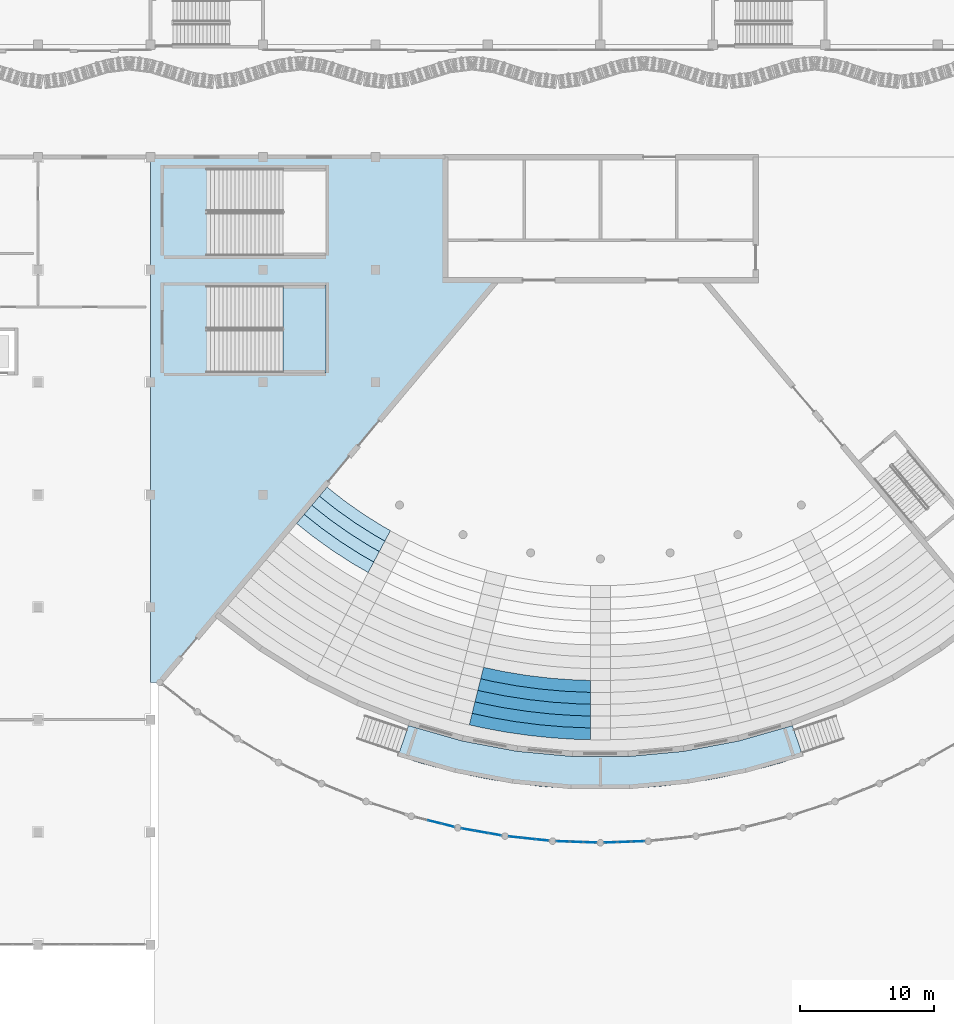
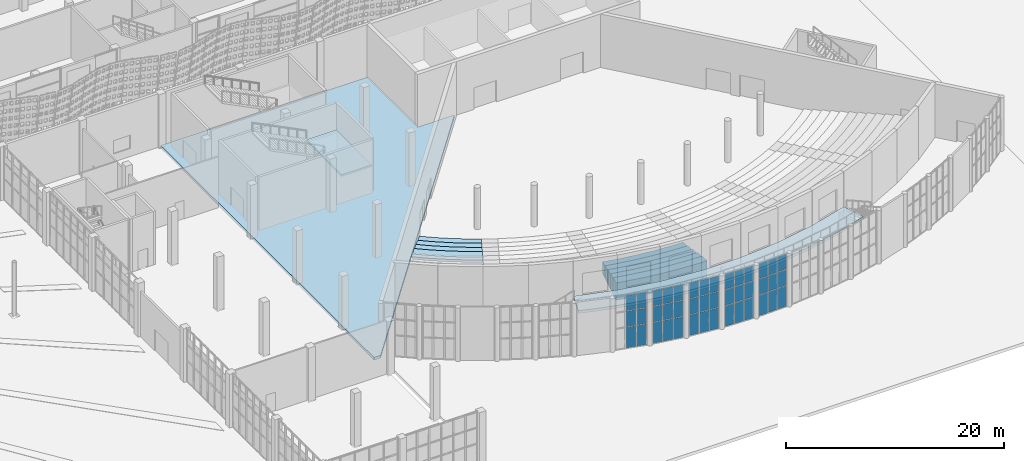
# One storey, part 86 of 210: 42 plates, 12 slabs, 6 elements without a shape of their own.
"""IFC4 building model written with IfcOpenShell, lengths in metres."""

import ifcopenshell
import ifcopenshell.guid

model = None  # the IFC model being written
_history = None  # IfcOwnerHistory: only IFC2X3 demands one
_inside = {}  # id of a spatial element -> (the spatial element, [elements in it])
_under = {}  # id of a project, library or spatial element -> (it, [spatial elements below it])
_declared = {}  # id of a project -> (the project, [libraries it declares])
_typed = {}  # id of a type object -> (the type object, [elements of that type])
_made_of = {}  # id of a material, layer set ... -> (it, [elements and type objects made of it])


def new_model(schema):
    """Start an empty IFC model of exactly this schema.

    Asked for "IFC4X3", IfcOpenShell would pick the latest addendum, in which some entities
    have other attributes; the version numbers below select the first issue.
    IFC2X3 requires an IfcOwnerHistory on every rooted entity: one is made here for all.
    """
    global model, _history
    if schema == "IFC4X3":
        model = ifcopenshell.file(schema_version=(4, 3, 0, 0))
    else:
        model = ifcopenshell.file(schema=schema)
    _inside.clear()
    _under.clear()
    _declared.clear()
    _typed.clear()
    _made_of.clear()
    _history = None
    if model.schema == "IFC2X3":
        org = make("IfcOrganization", Name="unknown")
        user = make(
            "IfcPersonAndOrganization",
            ThePerson=make("IfcPerson", FamilyName="unknown"),
            TheOrganization=org,
        )
        app = make(
            "IfcApplication",
            ApplicationDeveloper=org,
            Version="unknown",
            ApplicationFullName="unknown",
            ApplicationIdentifier="unknown",
        )
        _history = make(
            "IfcOwnerHistory",
            OwningUser=user,
            OwningApplication=app,
            ChangeAction="ADDED",
            CreationDate=0,
        )
    return model


def make(cls, **values):
    """One entity of the class cls with the attributes given. An attribute that is None is left unset."""
    return model.create_entity(
        cls, **{name: value for name, value in values.items() if value is not None}
    )


def rooted(cls, **values):
    """An entity with a GlobalId (a new one), such as an element, a storey or a relation."""
    return make(cls, GlobalId=ifcopenshell.guid.new(), OwnerHistory=_history, **values)


def si_unit(unit_type, name, prefix=None):
    """IfcSIUnit, for example si_unit("LENGTHUNIT", "METRE", prefix="MILLI")."""
    return make("IfcSIUnit", UnitType=unit_type, Prefix=prefix, Name=name)


def assignment(units):
    """IfcUnitAssignment: the units of a project."""
    return None if units is None else make("IfcUnitAssignment", Units=units)


def point(xyz):
    """IfcCartesianPoint."""
    return None if xyz is None else make("IfcCartesianPoint", Coordinates=xyz)


def direction(xyz):
    """IfcDirection."""
    return None if xyz is None else make("IfcDirection", DirectionRatios=xyz)


def frame(location, z_axis=None, x_axis=None):
    """IfcAxis2Placement3D, a coordinate frame: its origin and axes. An axis left out is left unset."""
    return make(
        "IfcAxis2Placement3D",
        Location=point(location),
        Axis=direction(z_axis),
        RefDirection=direction(x_axis),
    )


def frame_2d(location, x_axis=None):
    """IfcAxis2Placement2D, a coordinate frame in the plane: its origin and x axis."""
    return make(
        "IfcAxis2Placement2D", Location=point(location), RefDirection=direction(x_axis)
    )


def origin():
    """The frame at (0, 0, 0) with its axes left unset."""
    return frame((0.0, 0.0, 0.0))


def origin_2d():
    """The frame at (0, 0) in the plane with its x axis left unset."""
    return frame_2d((0.0, 0.0))


def place(relative_to, where):
    """IfcLocalPlacement: puts the frame where relative to a parent placement (None: the world)."""
    return make(
        "IfcLocalPlacement", PlacementRelTo=relative_to, RelativePlacement=where
    )


def context(
    kind, dimensions, precision=None, world=None, true_north=None, identifier=None
):
    """IfcGeometricRepresentationContext, for example the 3D "Model" context."""
    return make(
        "IfcGeometricRepresentationContext",
        ContextIdentifier=identifier,
        ContextType=kind,
        CoordinateSpaceDimension=dimensions,
        Precision=precision,
        WorldCoordinateSystem=world,
        TrueNorth=true_north,
    )


def subcontext(parent, identifier, kind, view, scale=None):
    """IfcGeometricRepresentationSubContext, for example "Body" below "Model"."""
    return make(
        "IfcGeometricRepresentationSubContext",
        ContextIdentifier=identifier,
        ContextType=kind,
        ParentContext=parent,
        TargetScale=scale,
        TargetView=view,
    )


def project(units=None, contexts=None):
    """IfcProject with its units and contexts."""
    return rooted(
        "IfcProject",
        Name="project",
        RepresentationContexts=contexts,
        UnitsInContext=assignment(units),
    )


def spatial(cls, under=None, at=None, **own):
    """A site, building, storey or space (cls), placed at a placement, below another one or the project."""
    s = rooted(cls, ObjectPlacement=at, **own)
    if under is not None:
        _under.setdefault(under.id(), (under, []))[1].append(s)
    return s


def polyline(points):
    """IfcPolyline through the points."""
    return make("IfcPolyline", Points=[point(p) for p in points])


def profile(cls, at=None, kind="AREA", **sizes):
    """A parametric profile (cls). Its sizes go by their IFC names, for example OverallWidth=200.0."""
    return make(cls, ProfileType=kind, Position=at, **sizes)


def rectangle(**sizes):
    """IfcRectangleProfileDef."""
    return profile("IfcRectangleProfileDef", **sizes)


def outline(outer, holes=None, kind="AREA"):
    """IfcArbitraryClosedProfileDef: a profile drawn as a closed curve; with holes, ...WithVoids."""
    if holes is None:
        return make("IfcArbitraryClosedProfileDef", ProfileType=kind, OuterCurve=outer)
    return make(
        "IfcArbitraryProfileDefWithVoids",
        ProfileType=kind,
        OuterCurve=outer,
        InnerCurves=holes,
    )


def extrude(swept, where, along, depth):
    """IfcExtrudedAreaSolid: the profile swept, set in the frame where, extruded along a direction by depth."""
    return make(
        "IfcExtrudedAreaSolid",
        SweptArea=swept,
        Position=where,
        ExtrudedDirection=direction(along),
        Depth=depth,
    )


def shape(context_of_items, identifier, shape_type, items):
    """IfcShapeRepresentation: the items that make up one representation, for example the "Body"."""
    return make(
        "IfcShapeRepresentation",
        ContextOfItems=context_of_items,
        RepresentationIdentifier=identifier,
        RepresentationType=shape_type,
        Items=items,
    )


def material(Name=None, Category=None):
    """IfcMaterial."""
    return make("IfcMaterial", Name=Name, Category=Category)


def layer(
    of_material, thickness, ventilated=None, Name=None, Category=None, Priority=None
):
    """IfcMaterialLayer: one layer of a wall or slab, of a material (None: an air gap)."""
    return make(
        "IfcMaterialLayer",
        Material=of_material,
        LayerThickness=thickness,
        IsVentilated=ventilated,
        Name=Name,
        Category=Category,
        Priority=Priority,
    )


def layer_set(layers, Name=None):
    """IfcMaterialLayerSet."""
    return make("IfcMaterialLayerSet", MaterialLayers=layers, LayerSetName=Name)


def made_of(thing, what):
    """Note that an element or type object is made of a material, layer set ...; save() writes the relation."""
    if what is not None:
        _made_of.setdefault(what.id(), (what, []))[1].append(thing)
    return thing


def type_object(cls, material=None, **own):
    """A type object (cls), such as IfcWallType, which elements share."""
    return made_of(rooted(cls, **own), material)


def element(
    cls,
    number,
    at=None,
    inside=None,
    cuts=None,
    type_object=None,
    material=None,
    context=None,
    identifier="Body",
    shape_type=None,
    held_by="IfcProductDefinitionShape",
    body=None,
    shapes=None,
    **own,
):
    """One element of the class cls, such as IfcWall. Its Tag is "e" and its number.

    at: its placement. inside: the storey or other place that contains it. cuts: it is an
    opening in that element (IfcRelVoidsElement). A single representation is given by context,
    identifier, shape_type and body (its items); several are given by shapes. held_by: the class
    of the entity that holds the representations. save() writes the other relations.
    """
    e = rooted(cls, Tag="e%d" % number, ObjectPlacement=at, **own)
    if body is not None:
        shapes = [shape(context, identifier, shape_type, body)]
    if shapes is not None:
        e.Representation = make(held_by, Representations=shapes)
    if inside is not None:
        _inside.setdefault(inside.id(), (inside, []))[1].append(e)
    if cuts is not None:
        rooted(
            "IfcRelVoidsElement", RelatingBuildingElement=cuts, RelatedOpeningElement=e
        )
    if type_object is not None:
        _typed.setdefault(type_object.id(), (type_object, []))[1].append(e)
    return made_of(e, material)


def aggregate(whole, parts):
    """IfcRelAggregates: a whole, such as a stair, and the parts it consists of."""
    return rooted("IfcRelAggregates", RelatingObject=whole, RelatedObjects=parts)


def save(model, path):
    """Write the relations noted so far, then the file.

    IfcRelAggregates (storeys below a building ...), IfcRelContainedInSpatialStructure (elements
    in a storey), IfcRelDefinesByType, IfcRelAssociatesMaterial and IfcRelDeclares: one each for
    every whole, place, type object, material and project.
    """
    for whole, parts in _under.values():
        aggregate(whole, parts)
    for where, things in _inside.values():
        rooted(
            "IfcRelContainedInSpatialStructure",
            RelatedElements=things,
            RelatingStructure=where,
        )
    for kind, things in _typed.values():
        rooted("IfcRelDefinesByType", RelatedObjects=things, RelatingType=kind)
    for what, things in _made_of.values():
        rooted("IfcRelAssociatesMaterial", RelatedObjects=things, RelatingMaterial=what)
    for by, libraries in _declared.values():
        rooted("IfcRelDeclares", RelatingContext=by, RelatedDefinitions=libraries)
    model.write(path)


model = new_model("IFC4")

# Units and contexts
model_context = context("Model", 3, precision=1e-05, world=origin(), true_north=direction((0.0, 1.0)))
body_context = subcontext(model_context, "Body", "Model", "MODEL_VIEW")
ifc_project = project(units=[si_unit("LENGTHUNIT", "METRE"), si_unit("AREAUNIT", "SQUARE_METRE"), si_unit("VOLUMEUNIT", "CUBIC_METRE"), si_unit("PLANEANGLEUNIT", "RADIAN"), si_unit("MASSUNIT", "GRAM", prefix="KILO")], contexts=[model_context])

# Site, building, storey
site_placement = place(None, origin())
site = spatial("IfcSite", under=ifc_project, at=site_placement, CompositionType="ELEMENT")
building_placement = place(site_placement, origin())
building = spatial("IfcBuilding", under=site, at=building_placement, Name="Rain Tree Exposition and Congress Centre", CompositionType="ELEMENT")
storey_placement = place(building_placement, origin())
storey = spatial("IfcBuildingStorey", under=building, at=storey_placement, Name="L00", CompositionType="ELEMENT", Elevation=0.0)

# Slab
ifc_material_1 = material(Name="Concrete C40/50", Category="concrete")
ifc_layer_1 = layer(ifc_material_1, 0.300048828125)
ifc_layer_set_1 = layer_set([ifc_layer_1], Name="Concrete C40/50")
slab_type_1 = type_object("IfcSlabType", Name="Exit landing slab 300", PredefinedType="LANDING", material=ifc_layer_set_1)
slab_1_placement = place(storey_placement, frame((0.0, 0.0, 1.800048828125)))
element("IfcSlab", 1, at=slab_1_placement, inside=storey, type_object=slab_type_1, Name="Rear exit landing", PredefinedType="LANDING", context=body_context, shape_type="SweptSolid", body=[
    extrude(outline(polyline([(216.70703125, 22.48291015625), (215.93896484375, 24.75634765625), (215.93896484375, 24.75634765625), (211.931640625, 23.607421875), (207.8349609375, 22.835693359375), (203.684326171875, 22.4482421875), (199.515625, 22.4482421875), (195.364990234375, 22.835693359375), (191.268310546875, 23.607421875), (187.260986328125, 24.75634765625), (187.260986328125, 24.75634765625), (186.492919921875, 22.48291015625), (188.2177734375, 21.936767578125), (189.9619140625, 21.457275390625), (191.723388671875, 21.044921875), (193.499267578125, 20.7001953125), (195.287109375, 20.424072265625), (197.083984375, 20.216552734375), (198.8876953125, 20.077880859375), (200.695556640625, 20.0087890625), (202.50439453125, 20.0087890625), (204.312255859375, 20.077880859375), (206.115966796875, 20.216552734375), (207.9130859375, 20.424072265625), (209.70068359375, 20.7001953125), (211.4765625, 21.044921875), (213.238037109375, 21.457275390625), (214.982421875, 21.936767578125), (216.70703125, 22.48291015625)])), origin(), (0.0, 0.0, 1.0), 0.300048828125),
])

# Curtain wall, plates
ifc_material_2 = material(Name="Aluminium", Category="aluminium")
ifc_layer_2 = layer(ifc_material_2, 0.10009765625)
ifc_layer_set_2 = layer_set([ifc_layer_2], Name="Aluminium")
curtain_wall_type = type_object("IfcCurtainWallType", Name="Curtain wall congress", PredefinedType="NOTDEFINED", material=ifc_layer_set_2)
curtain_wall_1_placement = place(storey_placement, origin())
curtain_wall_1 = element("IfcCurtainWall", 2, at=curtain_wall_1_placement, inside=storey, type_object=curtain_wall_type, Name="Curtain wall L00 bay 7", PredefinedType="NOTDEFINED")
ifc_material_3 = material(Name="Double glazed unit", Category="glass")
ifc_layer_3 = layer(ifc_material_3, 0.028076171875)
ifc_layer_set_3 = layer_set([ifc_layer_3], Name="Double glazed unit")
plate_type = type_object("IfcPlateType", Name="Glazing panel 28 congress", PredefinedType="CURTAIN_PANEL", material=ifc_layer_set_3)
plate_1_placement = place(storey_placement, frame((189.22119140625, 17.551025390625, 0.06005859375), z_axis=(0.0, 0.0, 1.0), x_axis=(0.970295408249, -0.241923171133, 0.0)))
plate_1 = element("IfcPlate", 3, at=plate_1_placement, type_object=plate_type, Name="CWG107 panel 2.1", PredefinedType="CURTAIN_PANEL", context=body_context, shape_type="SweptSolid", body=[
    extrude(rectangle(XDim=0.964599609375, YDim=0.028076171875, at=origin_2d()), origin(), (0.0, 0.0, 1.0), 2.31005859375),
])
plate_2_placement = place(storey_placement, frame((189.22119140625, 17.551025390625, 2.43017578125), z_axis=(0.0, 0.0, 1.0), x_axis=(0.970295408249, -0.241923171133, 0.0)))
plate_2 = element("IfcPlate", 4, at=plate_2_placement, type_object=plate_type, Name="CWG107 panel 2.2", PredefinedType="CURTAIN_PANEL", context=body_context, shape_type="SweptSolid", body=[
    extrude(rectangle(XDim=0.964599609375, YDim=0.028076171875, at=origin_2d()), origin(), (0.0, 0.0, 1.0), 1.739990234375),
])
plate_3_placement = place(storey_placement, frame((189.22119140625, 17.551025390625, 4.22998046875), z_axis=(0.0, 0.0, 1.0), x_axis=(0.970295408249, -0.241923171133, 0.0)))
plate_3 = element("IfcPlate", 5, at=plate_3_placement, type_object=plate_type, Name="CWG107 panel 2.3", PredefinedType="CURTAIN_PANEL", context=body_context, shape_type="SweptSolid", body=[
    extrude(rectangle(XDim=0.964599609375, YDim=0.028076171875, at=origin_2d()), origin(), (0.0, 0.0, 1.0), 1.7099609375),
])
plate_4_placement = place(storey_placement, frame((190.20068359375, 17.306884765625, 0.06005859375), z_axis=(0.0, 0.0, 1.0), x_axis=(0.970295408249, -0.241923171133, 0.0)))
plate_4 = element("IfcPlate", 6, at=plate_4_placement, type_object=plate_type, Name="CWG107 panel 3.1", PredefinedType="CURTAIN_PANEL", context=body_context, shape_type="SweptSolid", body=[
    extrude(rectangle(XDim=0.9345703125, YDim=0.028076171875, at=origin_2d()), origin(), (0.0, 0.0, 1.0), 2.31005859375),
])
plate_5_placement = place(storey_placement, frame((190.20068359375, 17.306884765625, 2.43017578125), z_axis=(0.0, 0.0, 1.0), x_axis=(0.970295408249, -0.241923171133, 0.0)))
plate_5 = element("IfcPlate", 7, at=plate_5_placement, type_object=plate_type, Name="CWG107 panel 3.2", PredefinedType="CURTAIN_PANEL", context=body_context, shape_type="SweptSolid", body=[
    extrude(rectangle(XDim=0.9345703125, YDim=0.028076171875, at=origin_2d()), origin(), (0.0, 0.0, 1.0), 1.739990234375),
])
plate_6_placement = place(storey_placement, frame((190.20068359375, 17.306884765625, 4.22998046875), z_axis=(0.0, 0.0, 1.0), x_axis=(0.970295408249, -0.241923171133, 0.0)))
plate_6 = element("IfcPlate", 8, at=plate_6_placement, type_object=plate_type, Name="CWG107 panel 3.3", PredefinedType="CURTAIN_PANEL", context=body_context, shape_type="SweptSolid", body=[
    extrude(rectangle(XDim=0.9345703125, YDim=0.028076171875, at=origin_2d()), origin(), (0.0, 0.0, 1.0), 1.7099609375),
])
aggregate(curtain_wall_1, [plate_1, plate_2, plate_3, plate_4, plate_5, plate_6])

curtain_wall_2_placement = place(storey_placement, origin())
curtain_wall_2 = element("IfcCurtainWall", 9, at=curtain_wall_2_placement, inside=storey, type_object=curtain_wall_type, Name="Curtain wall L00 bay 8", PredefinedType="NOTDEFINED")
plate_7_placement = place(storey_placement, frame((191.720458984375, 16.98388671875, 0.06005859375), z_axis=(0.0, 0.0, 1.0), x_axis=(0.984810076905, -0.173634997701, 0.0)))
plate_7 = element("IfcPlate", 10, at=plate_7_placement, type_object=plate_type, Name="CWG108 panel 1.1", PredefinedType="CURTAIN_PANEL", context=body_context, shape_type="SweptSolid", body=[
    extrude(rectangle(XDim=0.9345703125, YDim=0.028076171875, at=origin_2d()), origin(), (0.0, 0.0, 1.0), 2.31005859375),
])
plate_8_placement = place(storey_placement, frame((191.720458984375, 16.98388671875, 2.43017578125), z_axis=(0.0, 0.0, 1.0), x_axis=(0.984810076905, -0.173634997701, 0.0)))
plate_8 = element("IfcPlate", 11, at=plate_8_placement, type_object=plate_type, Name="CWG108 panel 1.2", PredefinedType="CURTAIN_PANEL", context=body_context, shape_type="SweptSolid", body=[
    extrude(rectangle(XDim=0.9345703125, YDim=0.028076171875, at=origin_2d()), origin(), (0.0, 0.0, 1.0), 1.739990234375),
])
plate_9_placement = place(storey_placement, frame((191.720458984375, 16.98388671875, 4.22998046875), z_axis=(0.0, 0.0, 1.0), x_axis=(0.984810076905, -0.173634997701, 0.0)))
plate_9 = element("IfcPlate", 12, at=plate_9_placement, type_object=plate_type, Name="CWG108 panel 1.3", PredefinedType="CURTAIN_PANEL", context=body_context, shape_type="SweptSolid", body=[
    extrude(rectangle(XDim=0.9345703125, YDim=0.028076171875, at=origin_2d()), origin(), (0.0, 0.0, 1.0), 1.7099609375),
])
plate_10_placement = place(storey_placement, frame((192.714599609375, 16.80859375, 0.06005859375), z_axis=(0.0, 0.0, 1.0), x_axis=(0.984810076905, -0.173634997701, 0.0)))
plate_10 = element("IfcPlate", 13, at=plate_10_placement, type_object=plate_type, Name="CWG108 panel 2.1", PredefinedType="CURTAIN_PANEL", context=body_context, shape_type="SweptSolid", body=[
    extrude(rectangle(XDim=0.964599609375, YDim=0.028076171875, at=origin_2d()), origin(), (0.0, 0.0, 1.0), 2.31005859375),
])
plate_11_placement = place(storey_placement, frame((192.714599609375, 16.80859375, 2.43017578125), z_axis=(0.0, 0.0, 1.0), x_axis=(0.984810076905, -0.173634997701, 0.0)))
plate_11 = element("IfcPlate", 14, at=plate_11_placement, type_object=plate_type, Name="CWG108 panel 2.2", PredefinedType="CURTAIN_PANEL", context=body_context, shape_type="SweptSolid", body=[
    extrude(rectangle(XDim=0.964599609375, YDim=0.028076171875, at=origin_2d()), origin(), (0.0, 0.0, 1.0), 1.739990234375),
])
plate_12_placement = place(storey_placement, frame((192.714599609375, 16.80859375, 4.22998046875), z_axis=(0.0, 0.0, 1.0), x_axis=(0.984810076905, -0.173634997701, 0.0)))
plate_12 = element("IfcPlate", 15, at=plate_12_placement, type_object=plate_type, Name="CWG108 panel 2.3", PredefinedType="CURTAIN_PANEL", context=body_context, shape_type="SweptSolid", body=[
    extrude(rectangle(XDim=0.964599609375, YDim=0.028076171875, at=origin_2d()), origin(), (0.0, 0.0, 1.0), 1.7099609375),
])
plate_13_placement = place(storey_placement, frame((193.708740234375, 16.63330078125, 0.06005859375), z_axis=(0.0, 0.0, 1.0), x_axis=(0.984810076905, -0.173634997701, 0.0)))
plate_13 = element("IfcPlate", 16, at=plate_13_placement, type_object=plate_type, Name="CWG108 panel 3.1", PredefinedType="CURTAIN_PANEL", context=body_context, shape_type="SweptSolid", body=[
    extrude(rectangle(XDim=0.9345703125, YDim=0.028076171875, at=origin_2d()), origin(), (0.0, 0.0, 1.0), 2.31005859375),
])
plate_14_placement = place(storey_placement, frame((193.708740234375, 16.63330078125, 2.43017578125), z_axis=(0.0, 0.0, 1.0), x_axis=(0.984810076905, -0.173634997701, 0.0)))
plate_14 = element("IfcPlate", 17, at=plate_14_placement, type_object=plate_type, Name="CWG108 panel 3.2", PredefinedType="CURTAIN_PANEL", context=body_context, shape_type="SweptSolid", body=[
    extrude(rectangle(XDim=0.9345703125, YDim=0.028076171875, at=origin_2d()), origin(), (0.0, 0.0, 1.0), 1.739990234375),
])
plate_15_placement = place(storey_placement, frame((193.708740234375, 16.63330078125, 4.22998046875), z_axis=(0.0, 0.0, 1.0), x_axis=(0.984810076905, -0.173634997701, 0.0)))
plate_15 = element("IfcPlate", 18, at=plate_15_placement, type_object=plate_type, Name="CWG108 panel 3.3", PredefinedType="CURTAIN_PANEL", context=body_context, shape_type="SweptSolid", body=[
    extrude(rectangle(XDim=0.9345703125, YDim=0.028076171875, at=origin_2d()), origin(), (0.0, 0.0, 1.0), 1.7099609375),
])
aggregate(curtain_wall_2, [plate_7, plate_8, plate_9, plate_10, plate_11, plate_12, plate_13, plate_14, plate_15])

curtain_wall_3_placement = place(storey_placement, origin())
curtain_wall_3 = element("IfcCurtainWall", 19, at=curtain_wall_3_placement, inside=storey, type_object=curtain_wall_type, Name="Curtain wall L00 bay 9", PredefinedType="NOTDEFINED")
plate_16_placement = place(storey_placement, frame((195.247314453125, 16.4169921875, 0.06005859375), z_axis=(0.0, 0.0, 1.0), x_axis=(0.994524689589, -0.104501874612, 0.0)))
plate_16 = element("IfcPlate", 20, at=plate_16_placement, type_object=plate_type, Name="CWG109 panel 1.1", PredefinedType="CURTAIN_PANEL", context=body_context, shape_type="SweptSolid", body=[
    extrude(rectangle(XDim=0.9345703125, YDim=0.028076171875, at=origin_2d()), origin(), (0.0, 0.0, 1.0), 2.31005859375),
])
plate_17_placement = place(storey_placement, frame((195.247314453125, 16.4169921875, 2.43017578125), z_axis=(0.0, 0.0, 1.0), x_axis=(0.994524689589, -0.104501874612, 0.0)))
plate_17 = element("IfcPlate", 21, at=plate_17_placement, type_object=plate_type, Name="CWG109 panel 1.2", PredefinedType="CURTAIN_PANEL", context=body_context, shape_type="SweptSolid", body=[
    extrude(rectangle(XDim=0.9345703125, YDim=0.028076171875, at=origin_2d()), origin(), (0.0, 0.0, 1.0), 1.739990234375),
])
plate_18_placement = place(storey_placement, frame((195.247314453125, 16.4169921875, 4.22998046875), z_axis=(0.0, 0.0, 1.0), x_axis=(0.994524689589, -0.104501874612, 0.0)))
plate_18 = element("IfcPlate", 22, at=plate_18_placement, type_object=plate_type, Name="CWG109 panel 1.3", PredefinedType="CURTAIN_PANEL", context=body_context, shape_type="SweptSolid", body=[
    extrude(rectangle(XDim=0.9345703125, YDim=0.028076171875, at=origin_2d()), origin(), (0.0, 0.0, 1.0), 1.7099609375),
])
plate_19_placement = place(storey_placement, frame((196.25146484375, 16.3115234375, 0.06005859375), z_axis=(0.0, 0.0, 1.0), x_axis=(0.994524689589, -0.104501874612, 0.0)))
plate_19 = element("IfcPlate", 23, at=plate_19_placement, type_object=plate_type, Name="CWG109 panel 2.1", PredefinedType="CURTAIN_PANEL", context=body_context, shape_type="SweptSolid", body=[
    extrude(rectangle(XDim=0.964599609375, YDim=0.028076171875, at=origin_2d()), origin(), (0.0, 0.0, 1.0), 2.31005859375),
])
plate_20_placement = place(storey_placement, frame((196.25146484375, 16.3115234375, 2.43017578125), z_axis=(0.0, 0.0, 1.0), x_axis=(0.994524689589, -0.104501874612, 0.0)))
plate_20 = element("IfcPlate", 24, at=plate_20_placement, type_object=plate_type, Name="CWG109 panel 2.2", PredefinedType="CURTAIN_PANEL", context=body_context, shape_type="SweptSolid", body=[
    extrude(rectangle(XDim=0.964599609375, YDim=0.028076171875, at=origin_2d()), origin(), (0.0, 0.0, 1.0), 1.739990234375),
])
plate_21_placement = place(storey_placement, frame((196.25146484375, 16.3115234375, 4.22998046875), z_axis=(0.0, 0.0, 1.0), x_axis=(0.994524689589, -0.104501874612, 0.0)))
plate_21 = element("IfcPlate", 25, at=plate_21_placement, type_object=plate_type, Name="CWG109 panel 2.3", PredefinedType="CURTAIN_PANEL", context=body_context, shape_type="SweptSolid", body=[
    extrude(rectangle(XDim=0.964599609375, YDim=0.028076171875, at=origin_2d()), origin(), (0.0, 0.0, 1.0), 1.7099609375),
])
plate_22_placement = place(storey_placement, frame((197.25537109375, 16.2060546875, 0.06005859375), z_axis=(0.0, 0.0, 1.0), x_axis=(0.994524689589, -0.104501874612, 0.0)))
plate_22 = element("IfcPlate", 26, at=plate_22_placement, type_object=plate_type, Name="CWG109 panel 3.1", PredefinedType="CURTAIN_PANEL", context=body_context, shape_type="SweptSolid", body=[
    extrude(rectangle(XDim=0.9345703125, YDim=0.028076171875, at=origin_2d()), origin(), (0.0, 0.0, 1.0), 2.31005859375),
])
plate_23_placement = place(storey_placement, frame((197.25537109375, 16.2060546875, 2.43017578125), z_axis=(0.0, 0.0, 1.0), x_axis=(0.994524689589, -0.104501874612, 0.0)))
plate_23 = element("IfcPlate", 27, at=plate_23_placement, type_object=plate_type, Name="CWG109 panel 3.2", PredefinedType="CURTAIN_PANEL", context=body_context, shape_type="SweptSolid", body=[
    extrude(rectangle(XDim=0.9345703125, YDim=0.028076171875, at=origin_2d()), origin(), (0.0, 0.0, 1.0), 1.739990234375),
])
plate_24_placement = place(storey_placement, frame((197.25537109375, 16.2060546875, 4.22998046875), z_axis=(0.0, 0.0, 1.0), x_axis=(0.994524689589, -0.104501874612, 0.0)))
plate_24 = element("IfcPlate", 28, at=plate_24_placement, type_object=plate_type, Name="CWG109 panel 3.3", PredefinedType="CURTAIN_PANEL", context=body_context, shape_type="SweptSolid", body=[
    extrude(rectangle(XDim=0.9345703125, YDim=0.028076171875, at=origin_2d()), origin(), (0.0, 0.0, 1.0), 1.7099609375),
])
aggregate(curtain_wall_3, [plate_16, plate_17, plate_18, plate_19, plate_20, plate_21, plate_22, plate_23, plate_24])

curtain_wall_4_placement = place(storey_placement, origin())
curtain_wall_4 = element("IfcCurtainWall", 29, at=curtain_wall_4_placement, inside=storey, type_object=curtain_wall_type, Name="Curtain wall L00 bay 10", PredefinedType="NOTDEFINED")
plate_25_placement = place(storey_placement, frame((198.80517578125, 16.09765625, 0.06005859375), z_axis=(0.0, 0.0, 1.0), x_axis=(0.99939052188, -0.03490823366, 0.0)))
plate_25 = element("IfcPlate", 30, at=plate_25_placement, type_object=plate_type, Name="CWG110 panel 1.1", PredefinedType="CURTAIN_PANEL", context=body_context, shape_type="SweptSolid", body=[
    extrude(rectangle(XDim=0.9345703125, YDim=0.028076171875, at=origin_2d()), origin(), (0.0, 0.0, 1.0), 2.31005859375),
])
plate_26_placement = place(storey_placement, frame((198.80517578125, 16.09765625, 2.43017578125), z_axis=(0.0, 0.0, 1.0), x_axis=(0.99939052188, -0.03490823366, 0.0)))
plate_26 = element("IfcPlate", 31, at=plate_26_placement, type_object=plate_type, Name="CWG110 panel 1.2", PredefinedType="CURTAIN_PANEL", context=body_context, shape_type="SweptSolid", body=[
    extrude(rectangle(XDim=0.9345703125, YDim=0.028076171875, at=origin_2d()), origin(), (0.0, 0.0, 1.0), 1.739990234375),
])
plate_27_placement = place(storey_placement, frame((198.80517578125, 16.09765625, 4.22998046875), z_axis=(0.0, 0.0, 1.0), x_axis=(0.99939052188, -0.03490823366, 0.0)))
plate_27 = element("IfcPlate", 32, at=plate_27_placement, type_object=plate_type, Name="CWG110 panel 1.3", PredefinedType="CURTAIN_PANEL", context=body_context, shape_type="SweptSolid", body=[
    extrude(rectangle(XDim=0.9345703125, YDim=0.028076171875, at=origin_2d()), origin(), (0.0, 0.0, 1.0), 1.7099609375),
])
plate_28_placement = place(storey_placement, frame((199.814208984375, 16.062255859375, 0.06005859375), z_axis=(0.0, 0.0, 1.0), x_axis=(0.99939052188, -0.03490823366, 0.0)))
plate_28 = element("IfcPlate", 33, at=plate_28_placement, type_object=plate_type, Name="CWG110 panel 2.1", PredefinedType="CURTAIN_PANEL", context=body_context, shape_type="SweptSolid", body=[
    extrude(rectangle(XDim=0.964599609375, YDim=0.028076171875, at=origin_2d()), origin(), (0.0, 0.0, 1.0), 2.31005859375),
])
plate_29_placement = place(storey_placement, frame((199.814208984375, 16.062255859375, 2.43017578125), z_axis=(0.0, 0.0, 1.0), x_axis=(0.99939052188, -0.03490823366, 0.0)))
plate_29 = element("IfcPlate", 34, at=plate_29_placement, type_object=plate_type, Name="CWG110 panel 2.2", PredefinedType="CURTAIN_PANEL", context=body_context, shape_type="SweptSolid", body=[
    extrude(rectangle(XDim=0.964599609375, YDim=0.028076171875, at=origin_2d()), origin(), (0.0, 0.0, 1.0), 1.739990234375),
])
plate_30_placement = place(storey_placement, frame((199.814208984375, 16.062255859375, 4.22998046875), z_axis=(0.0, 0.0, 1.0), x_axis=(0.99939052188, -0.03490823366, 0.0)))
plate_30 = element("IfcPlate", 35, at=plate_30_placement, type_object=plate_type, Name="CWG110 panel 2.3", PredefinedType="CURTAIN_PANEL", context=body_context, shape_type="SweptSolid", body=[
    extrude(rectangle(XDim=0.964599609375, YDim=0.028076171875, at=origin_2d()), origin(), (0.0, 0.0, 1.0), 1.7099609375),
])
plate_31_placement = place(storey_placement, frame((200.8232421875, 16.027099609375, 0.06005859375), z_axis=(0.0, 0.0, 1.0), x_axis=(0.99939052188, -0.03490823366, 0.0)))
plate_31 = element("IfcPlate", 36, at=plate_31_placement, type_object=plate_type, Name="CWG110 panel 3.1", PredefinedType="CURTAIN_PANEL", context=body_context, shape_type="SweptSolid", body=[
    extrude(rectangle(XDim=0.9345703125, YDim=0.028076171875, at=origin_2d()), origin(), (0.0, 0.0, 1.0), 2.31005859375),
])
plate_32_placement = place(storey_placement, frame((200.8232421875, 16.027099609375, 2.43017578125), z_axis=(0.0, 0.0, 1.0), x_axis=(0.99939052188, -0.03490823366, 0.0)))
plate_32 = element("IfcPlate", 37, at=plate_32_placement, type_object=plate_type, Name="CWG110 panel 3.2", PredefinedType="CURTAIN_PANEL", context=body_context, shape_type="SweptSolid", body=[
    extrude(rectangle(XDim=0.9345703125, YDim=0.028076171875, at=origin_2d()), origin(), (0.0, 0.0, 1.0), 1.739990234375),
])
plate_33_placement = place(storey_placement, frame((200.8232421875, 16.027099609375, 4.22998046875), z_axis=(0.0, 0.0, 1.0), x_axis=(0.99939052188, -0.03490823366, 0.0)))
plate_33 = element("IfcPlate", 38, at=plate_33_placement, type_object=plate_type, Name="CWG110 panel 3.3", PredefinedType="CURTAIN_PANEL", context=body_context, shape_type="SweptSolid", body=[
    extrude(rectangle(XDim=0.9345703125, YDim=0.028076171875, at=origin_2d()), origin(), (0.0, 0.0, 1.0), 1.7099609375),
])
aggregate(curtain_wall_4, [plate_25, plate_26, plate_27, plate_28, plate_29, plate_30, plate_31, plate_32, plate_33])

curtain_wall_5_placement = place(storey_placement, origin())
curtain_wall_5 = element("IfcCurtainWall", 39, at=curtain_wall_5_placement, inside=storey, type_object=curtain_wall_type, Name="Curtain wall L00 bay 11", PredefinedType="NOTDEFINED")
plate_34_placement = place(storey_placement, frame((202.376708984375, 16.027099609375, 0.06005859375), z_axis=(0.0, 0.0, 1.0), x_axis=(0.99939052188, 0.03490823366, 0.0)))
plate_34 = element("IfcPlate", 40, at=plate_34_placement, type_object=plate_type, Name="CWG111 panel 1.1", PredefinedType="CURTAIN_PANEL", context=body_context, shape_type="SweptSolid", body=[
    extrude(rectangle(XDim=0.9345703125, YDim=0.028076171875, at=origin_2d()), origin(), (0.0, 0.0, 1.0), 2.31005859375),
])
plate_35_placement = place(storey_placement, frame((202.376708984375, 16.027099609375, 2.43017578125), z_axis=(0.0, 0.0, 1.0), x_axis=(0.99939052188, 0.03490823366, 0.0)))
plate_35 = element("IfcPlate", 41, at=plate_35_placement, type_object=plate_type, Name="CWG111 panel 1.2", PredefinedType="CURTAIN_PANEL", context=body_context, shape_type="SweptSolid", body=[
    extrude(rectangle(XDim=0.9345703125, YDim=0.028076171875, at=origin_2d()), origin(), (0.0, 0.0, 1.0), 1.739990234375),
])
plate_36_placement = place(storey_placement, frame((202.376708984375, 16.027099609375, 4.22998046875), z_axis=(0.0, 0.0, 1.0), x_axis=(0.99939052188, 0.03490823366, 0.0)))
plate_36 = element("IfcPlate", 42, at=plate_36_placement, type_object=plate_type, Name="CWG111 panel 1.3", PredefinedType="CURTAIN_PANEL", context=body_context, shape_type="SweptSolid", body=[
    extrude(rectangle(XDim=0.9345703125, YDim=0.028076171875, at=origin_2d()), origin(), (0.0, 0.0, 1.0), 1.7099609375),
])
plate_37_placement = place(storey_placement, frame((203.3857421875, 16.062255859375, 0.06005859375), z_axis=(0.0, 0.0, 1.0), x_axis=(0.99939052188, 0.03490823366, 0.0)))
plate_37 = element("IfcPlate", 43, at=plate_37_placement, type_object=plate_type, Name="CWG111 panel 2.1", PredefinedType="CURTAIN_PANEL", context=body_context, shape_type="SweptSolid", body=[
    extrude(rectangle(XDim=0.964599609375, YDim=0.028076171875, at=origin_2d()), origin(), (0.0, 0.0, 1.0), 2.31005859375),
])
plate_38_placement = place(storey_placement, frame((203.3857421875, 16.062255859375, 2.43017578125), z_axis=(0.0, 0.0, 1.0), x_axis=(0.99939052188, 0.03490823366, 0.0)))
plate_38 = element("IfcPlate", 44, at=plate_38_placement, type_object=plate_type, Name="CWG111 panel 2.2", PredefinedType="CURTAIN_PANEL", context=body_context, shape_type="SweptSolid", body=[
    extrude(rectangle(XDim=0.964599609375, YDim=0.028076171875, at=origin_2d()), origin(), (0.0, 0.0, 1.0), 1.739990234375),
])
plate_39_placement = place(storey_placement, frame((203.3857421875, 16.062255859375, 4.22998046875), z_axis=(0.0, 0.0, 1.0), x_axis=(0.99939052188, 0.03490823366, 0.0)))
plate_39 = element("IfcPlate", 45, at=plate_39_placement, type_object=plate_type, Name="CWG111 panel 2.3", PredefinedType="CURTAIN_PANEL", context=body_context, shape_type="SweptSolid", body=[
    extrude(rectangle(XDim=0.964599609375, YDim=0.028076171875, at=origin_2d()), origin(), (0.0, 0.0, 1.0), 1.7099609375),
])
plate_40_placement = place(storey_placement, frame((204.394775390625, 16.09765625, 0.06005859375), z_axis=(0.0, 0.0, 1.0), x_axis=(0.99939052188, 0.03490823366, 0.0)))
plate_40 = element("IfcPlate", 46, at=plate_40_placement, type_object=plate_type, Name="CWG111 panel 3.1", PredefinedType="CURTAIN_PANEL", context=body_context, shape_type="SweptSolid", body=[
    extrude(rectangle(XDim=0.9345703125, YDim=0.028076171875, at=origin_2d()), origin(), (0.0, 0.0, 1.0), 2.31005859375),
])
plate_41_placement = place(storey_placement, frame((204.394775390625, 16.09765625, 2.43017578125), z_axis=(0.0, 0.0, 1.0), x_axis=(0.99939052188, 0.03490823366, 0.0)))
plate_41 = element("IfcPlate", 47, at=plate_41_placement, type_object=plate_type, Name="CWG111 panel 3.2", PredefinedType="CURTAIN_PANEL", context=body_context, shape_type="SweptSolid", body=[
    extrude(rectangle(XDim=0.9345703125, YDim=0.028076171875, at=origin_2d()), origin(), (0.0, 0.0, 1.0), 1.739990234375),
])
plate_42_placement = place(storey_placement, frame((204.394775390625, 16.09765625, 4.22998046875), z_axis=(0.0, 0.0, 1.0), x_axis=(0.99939052188, 0.03490823366, 0.0)))
plate_42 = element("IfcPlate", 48, at=plate_42_placement, type_object=plate_type, Name="CWG111 panel 3.3", PredefinedType="CURTAIN_PANEL", context=body_context, shape_type="SweptSolid", body=[
    extrude(rectangle(XDim=0.9345703125, YDim=0.028076171875, at=origin_2d()), origin(), (0.0, 0.0, 1.0), 1.7099609375),
])
aggregate(curtain_wall_5, [plate_34, plate_35, plate_36, plate_37, plate_38, plate_39, plate_40, plate_41, plate_42])

# Slab
ifc_material_4 = material(Name="Concrete C40/50", Category="concrete")
ifc_layer_4 = layer(ifc_material_4, 0.300048828125)
ifc_layer_set_4 = layer_set([ifc_layer_4], Name="Concrete C40/50")
slab_type_2 = type_object("IfcSlabType", Name="Ground slab 300 congress", PredefinedType="BASESLAB", material=ifc_layer_set_4)
slab_2_placement = place(storey_placement, frame((0.0, 0.0, -0.300048828125)))
element("IfcSlab", 49, at=slab_2_placement, inside=storey, type_object=slab_type_2, Name="Congress lounge ground slab", PredefinedType="BASESLAB", context=body_context, shape_type="SweptSolid", body=[
    extrude(outline(polyline([(168.689208984375, 27.978515625), (193.8466796875, 57.9599609375), (190.0, 57.9599609375), (190.0, 58.010009765625), (190.0, 67.199951171875), (168.0, 67.199951171875), (168.0, 27.978515625), (168.689208984375, 27.978515625)])), origin(), (0.0, 0.0, 1.0), 0.300048828125),
])

# Stair, slab
ifc_material_5 = material(Name="Concrete C40/50", Category="concrete")
stair_type = type_object("IfcStairType", Name="Half-turn stair congress", PredefinedType="HALF_TURN_STAIR", material=ifc_material_5)
stair_placement = place(storey_placement, origin())
stair = element("IfcStair", 50, at=stair_placement, inside=storey, type_object=stair_type, Name="L00 Stair ST-G3", PredefinedType="HALF_TURN_STAIR")
ifc_material_6 = material(Name="Concrete C40/50", Category="concrete")
ifc_layer_5 = layer(ifc_material_6, 0.199951171875)
ifc_layer_set_5 = layer_set([ifc_layer_5], Name="Concrete C40/50")
slab_type_3 = type_object("IfcSlabType", Name="Stair landing slab 200", PredefinedType="LANDING", material=ifc_layer_set_5)
slab_3_placement = place(storey_placement, frame((0.0, 0.0, 2.800048828125)))
slab_3 = element("IfcSlab", 51, at=slab_3_placement, type_object=slab_type_3, Name="ST-G3 landing 1", PredefinedType="LANDING", context=body_context, shape_type="SweptSolid", body=[
    extrude(outline(polyline([(177.89990234375, 51.10009765625), (181.10009765625, 51.10009765625), (181.10009765625, 57.60009765625), (177.89990234375, 57.60009765625), (177.89990234375, 51.10009765625)])), origin(), (0.0, 0.0, 1.0), 0.199951171875),
])
aggregate(stair, [slab_3])

# Slabs
ifc_material_7 = material(Name="Precast concrete C50/60", Category="concrete")
ifc_layer_6 = layer(ifc_material_7, 0.300048828125)
ifc_layer_set_6 = layer_set([ifc_layer_6], Name="Precast concrete C50/60")
slab_type_4 = type_object("IfcSlabType", Name="Terrace step slab 300", PredefinedType="FLOOR", material=ifc_layer_set_6)
slab_4_placement = place(storey_placement, origin())
element("IfcSlab", 52, at=slab_4_placement, inside=storey, type_object=slab_type_4, Name="Stalls tier row 1", ObjectType="SEATING TIER", PredefinedType="USERDEFINED", context=body_context, shape_type="SweptSolid", body=[
    extrude(outline(polyline([(184.7763671875, 38.943603515625), (185.50830078125, 38.53369140625), (185.924072265625, 39.315185546875), (185.406982421875, 39.599609375), (183.8916015625, 40.54638671875), (182.43115234375, 41.57666015625), (181.1875, 42.562255859375), (180.6181640625, 41.8837890625), (181.84423828125, 40.909912109375), (183.28369140625, 39.88720703125), (184.7763671875, 38.943603515625)])), origin(), (0.0, 0.0, 1.0), 0.14990234375),
])
slab_5_placement = place(storey_placement, origin())
element("IfcSlab", 53, at=slab_5_placement, inside=storey, type_object=slab_type_4, Name="Stalls tier row 2", ObjectType="SEATING TIER", PredefinedType="USERDEFINED", context=body_context, shape_type="SweptSolid", body=[
    extrude(outline(polyline([(184.3232421875, 38.182373046875), (185.0927734375, 37.751708984375), (185.50830078125, 38.53369140625), (184.7763671875, 38.943603515625), (183.28369140625, 39.88720703125), (181.84423828125, 40.909912109375), (180.6181640625, 41.8837890625), (180.048828125, 41.205078125), (181.31201171875, 40.20166015625), (182.79052734375, 39.151611328125), (184.3232421875, 38.182373046875)])), origin(), (0.0, 0.0, 1.0), 0.300048828125),
])
slab_6_placement = place(storey_placement, origin())
element("IfcSlab", 54, at=slab_6_placement, inside=storey, type_object=slab_type_4, Name="Stalls tier row 3", ObjectType="SEATING TIER", PredefinedType="USERDEFINED", context=body_context, shape_type="SweptSolid", body=[
    extrude(outline(polyline([(183.692626953125, 37.527587890625), (184.676025390625, 36.96826171875), (185.0927734375, 37.751708984375), (184.3232421875, 38.182373046875), (182.79052734375, 39.151611328125), (181.31201171875, 40.20166015625), (180.048828125, 41.205078125), (179.4794921875, 40.526611328125), (180.724853515625, 39.53515625), (182.182861328125, 38.492919921875), (183.692626953125, 37.527587890625)])), origin(), (0.0, 0.0, 1.0), 0.449951171875),
])
slab_7_placement = place(storey_placement, origin())
element("IfcSlab", 55, at=slab_7_placement, inside=storey, type_object=slab_type_4, Name="Stalls tier row 4", ObjectType="SEATING TIER", PredefinedType="USERDEFINED", context=body_context, shape_type="SweptSolid", body=[
    extrude(outline(polyline([(183.066650390625, 36.87158203125), (184.2587890625, 36.183349609375), (184.676025390625, 36.96826171875), (183.692626953125, 37.527587890625), (182.182861328125, 38.492919921875), (180.724853515625, 39.53515625), (179.4794921875, 40.526611328125), (178.909912109375, 39.847900390625), (180.13916015625, 38.86767578125), (181.577880859375, 37.8330078125), (183.066650390625, 36.87158203125)])), origin(), (0.0, 0.0, 1.0), 0.60009765625),
])
slab_8_placement = place(storey_placement, origin())
element("IfcSlab", 56, at=slab_8_placement, inside=storey, type_object=slab_type_4, Name="Stalls tier row 9", ObjectType="SEATING TIER", PredefinedType="USERDEFINED", context=body_context, shape_type="SweptSolid", body=[
    extrude(outline(polyline([(200.699951171875, 27.23876953125), (200.85009765625, 27.23876953125), (200.85009765625, 28.131591796875), (199.781494140625, 28.156494140625), (197.967041015625, 28.283447265625), (196.160400390625, 28.49462890625), (194.365478515625, 28.789794921875), (192.875244140625, 29.1064453125), (192.661865234375, 28.251220703125), (193.5537109375, 28.046875), (195.324951171875, 27.72412109375), (197.108642578125, 27.481689453125), (198.901611328125, 27.31982421875), (200.699951171875, 27.23876953125)])), origin(), (0.0, 0.0, 1.0), 1.35009765625),
])
slab_9_placement = place(storey_placement, origin())
element("IfcSlab", 57, at=slab_9_placement, inside=storey, type_object=slab_type_4, Name="Stalls tier row 10", ObjectType="SEATING TIER", PredefinedType="USERDEFINED", context=body_context, shape_type="SweptSolid", body=[
    extrude(outline(polyline([(199.81787109375, 26.381591796875), (200.85009765625, 26.359130859375), (200.85009765625, 27.23876953125), (200.699951171875, 27.23876953125), (198.901611328125, 27.31982421875), (197.108642578125, 27.481689453125), (195.324951171875, 27.72412109375), (193.5537109375, 28.046875), (192.661865234375, 28.251220703125), (192.446533203125, 27.38720703125), (192.7568359375, 27.311279296875), (194.505126953125, 26.963623046875), (196.26708984375, 26.6923828125), (198.0390625, 26.498291015625), (199.81787109375, 26.381591796875)])), origin(), (0.0, 0.0, 1.0), 1.5),
])
slab_10_placement = place(storey_placement, origin())
element("IfcSlab", 58, at=slab_10_placement, inside=storey, type_object=slab_type_4, Name="Stalls tier row 11", ObjectType="SEATING TIER", PredefinedType="USERDEFINED", context=body_context, shape_type="SweptSolid", body=[
    extrude(outline(polyline([(199.779296875, 25.496826171875), (200.85009765625, 25.473388671875), (200.85009765625, 26.359130859375), (199.81787109375, 26.381591796875), (198.0390625, 26.498291015625), (196.26708984375, 26.6923828125), (194.505126953125, 26.963623046875), (192.7568359375, 27.311279296875), (192.446533203125, 27.38720703125), (192.232421875, 26.528076171875), (192.565185546875, 26.446533203125), (194.351318359375, 26.09130859375), (196.151611328125, 25.814208984375), (197.9619140625, 25.615966796875), (199.779296875, 25.496826171875)])), origin(), (0.0, 0.0, 1.0), 1.64990234375),
])
slab_11_placement = place(storey_placement, origin())
element("IfcSlab", 59, at=slab_11_placement, inside=storey, type_object=slab_type_4, Name="Stalls tier row 12", ObjectType="SEATING TIER", PredefinedType="USERDEFINED", context=body_context, shape_type="SweptSolid", body=[
    extrude(outline(polyline([(200.6982421875, 24.5810546875), (200.85009765625, 24.5810546875), (200.85009765625, 25.473388671875), (199.779296875, 25.496826171875), (197.9619140625, 25.615966796875), (196.151611328125, 25.814208984375), (194.351318359375, 26.09130859375), (192.565185546875, 26.446533203125), (192.232421875, 26.528076171875), (192.017578125, 25.6669921875), (193.532470703125, 25.341796875), (195.310302734375, 25.0380859375), (197.099365234375, 24.809814453125), (198.896240234375, 24.6572265625), (200.6982421875, 24.5810546875)])), origin(), (0.0, 0.0, 1.0), 1.800048828125),
])
slab_12_placement = place(storey_placement, origin())
element("IfcSlab", 60, at=slab_12_placement, inside=storey, type_object=slab_type_4, Name="Stalls tier row 13", ObjectType="SEATING TIER", PredefinedType="USERDEFINED", context=body_context, shape_type="SweptSolid", body=[
    extrude(outline(polyline([(199.8134765625, 23.722412109375), (200.85009765625, 23.701171875), (200.85009765625, 24.5810546875), (200.6982421875, 24.5810546875), (198.896240234375, 24.6572265625), (197.099365234375, 24.809814453125), (195.310302734375, 25.0380859375), (193.532470703125, 25.341796875), (192.017578125, 25.6669921875), (191.804443359375, 24.81201171875), (192.727783203125, 24.599853515625), (194.484130859375, 24.271484375), (196.252685546875, 24.015380859375), (198.030029296875, 23.83251953125), (199.8134765625, 23.722412109375)])), origin(), (0.0, 0.0, 1.0), 1.949951171875),
])

save(model, "model.ifc")
